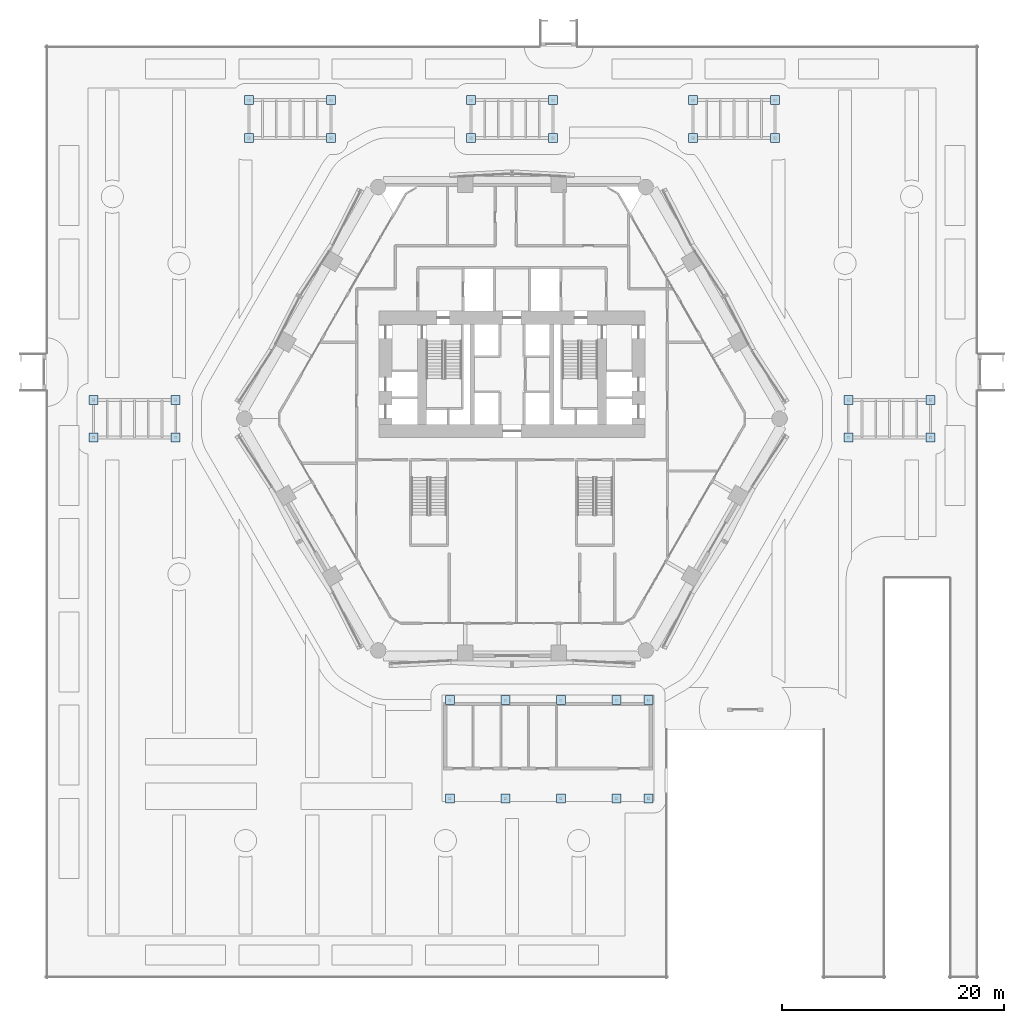
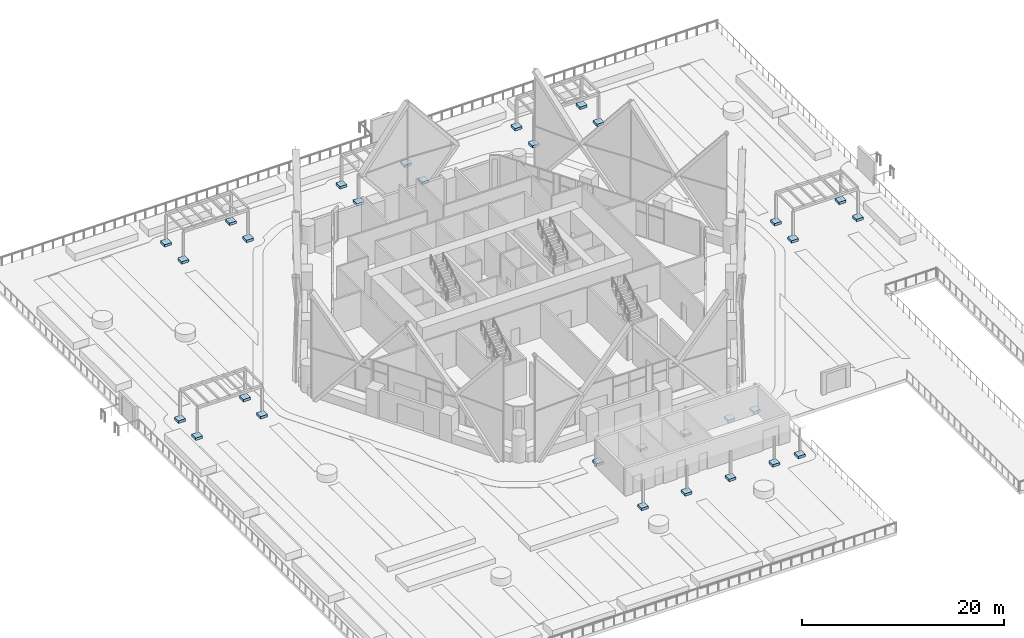
# One storey, part 1 of 71: 30 footings.
"""IFC4 building model written with IfcOpenShell, lengths in metres."""

from ifc_helpers import new_model, si_unit, direction, frame, origin, place, context, subcontext, project, spatial, polyline, outline, extrude, material, type_object, element, save


model = new_model("IFC4")

# Units and contexts
model_context = context("Model", 3, precision=1e-05, world=origin(), true_north=direction((0.0, 1.0)))
body_context = subcontext(model_context, "Body", "Model", "MODEL_VIEW")
ifc_project = project(units=[si_unit("LENGTHUNIT", "METRE"), si_unit("AREAUNIT", "SQUARE_METRE"), si_unit("VOLUMEUNIT", "CUBIC_METRE"), si_unit("PLANEANGLEUNIT", "RADIAN"), si_unit("MASSUNIT", "GRAM", prefix="KILO")], contexts=[model_context])

# Site, building, storey
site_placement = place(None, origin())
site = spatial("IfcSite", under=ifc_project, at=site_placement, CompositionType="ELEMENT")
building_placement = place(site_placement, origin())
building = spatial("IfcBuilding", under=site, at=building_placement, Name="Ostrander Bayou Hotel Tower", CompositionType="ELEMENT")
storey_placement = place(building_placement, frame((0.0, 0.0, 10.0)))
storey = spatial("IfcBuildingStorey", under=building, at=storey_placement, Name="L02", CompositionType="ELEMENT", Elevation=10.0)

# Footings
ifc_material = material(Name="Concrete f'c 40 MPa", Category="concrete")
footing_type = type_object("IfcFootingType", Name="PD2 pergola pedestal 800 x 800 x 300 mm f'c 40 MPa", PredefinedType="PAD_FOOTING", material=ifc_material)
footing_1_placement = place(storey_placement, origin())
element("IfcFooting", 1, at=footing_1_placement, inside=storey, type_object=footing_type, Name="PD2 pergola 1 pedestal 1", PredefinedType="PAD_FOOTING", context=body_context, shape_type="SweptSolid", body=[
    extrude(outline(polyline([(-23.300048828125, 24.89990234375), (-23.300048828125, 25.699951171875), (-24.10009765625, 25.699951171875), (-24.10009765625, 24.89990234375), (-23.300048828125, 24.89990234375)])), origin(), (0.0, 0.0, 1.0), 0.300048828125),
])
footing_2_placement = place(storey_placement, origin())
element("IfcFooting", 2, at=footing_2_placement, inside=storey, type_object=footing_type, Name="PD2 pergola 1 pedestal 2", PredefinedType="PAD_FOOTING", context=body_context, shape_type="SweptSolid", body=[
    extrude(outline(polyline([(-15.89990234375, 24.89990234375), (-15.89990234375, 25.699951171875), (-16.699951171875, 25.699951171875), (-16.699951171875, 24.89990234375), (-15.89990234375, 24.89990234375)])), origin(), (0.0, 0.0, 1.0), 0.300048828125),
])
footing_3_placement = place(storey_placement, origin())
element("IfcFooting", 3, at=footing_3_placement, inside=storey, type_object=footing_type, Name="PD2 pergola 1 pedestal 3", PredefinedType="PAD_FOOTING", context=body_context, shape_type="SweptSolid", body=[
    extrude(outline(polyline([(-15.89990234375, 28.300048828125), (-15.89990234375, 29.10009765625), (-16.699951171875, 29.10009765625), (-16.699951171875, 28.300048828125), (-15.89990234375, 28.300048828125)])), origin(), (0.0, 0.0, 1.0), 0.300048828125),
])
footing_4_placement = place(storey_placement, origin())
element("IfcFooting", 4, at=footing_4_placement, inside=storey, type_object=footing_type, Name="PD2 pergola 1 pedestal 4", PredefinedType="PAD_FOOTING", context=body_context, shape_type="SweptSolid", body=[
    extrude(outline(polyline([(-23.300048828125, 28.300048828125), (-23.300048828125, 29.10009765625), (-24.10009765625, 29.10009765625), (-24.10009765625, 28.300048828125), (-23.300048828125, 28.300048828125)])), origin(), (0.0, 0.0, 1.0), 0.300048828125),
])
footing_5_placement = place(storey_placement, origin())
element("IfcFooting", 5, at=footing_5_placement, inside=storey, type_object=footing_type, Name="PD2 pergola 2 pedestal 1", PredefinedType="PAD_FOOTING", context=body_context, shape_type="SweptSolid", body=[
    extrude(outline(polyline([(-3.300048828125, 24.89990234375), (-3.300048828125, 25.699951171875), (-4.10009765625, 25.699951171875), (-4.10009765625, 24.89990234375), (-3.300048828125, 24.89990234375)])), origin(), (0.0, 0.0, 1.0), 0.300048828125),
])
footing_6_placement = place(storey_placement, origin())
element("IfcFooting", 6, at=footing_6_placement, inside=storey, type_object=footing_type, Name="PD2 pergola 2 pedestal 2", PredefinedType="PAD_FOOTING", context=body_context, shape_type="SweptSolid", body=[
    extrude(outline(polyline([(4.10009765625, 24.89990234375), (4.10009765625, 25.699951171875), (3.300048828125, 25.699951171875), (3.300048828125, 24.89990234375), (4.10009765625, 24.89990234375)])), origin(), (0.0, 0.0, 1.0), 0.300048828125),
])
footing_7_placement = place(storey_placement, origin())
element("IfcFooting", 7, at=footing_7_placement, inside=storey, type_object=footing_type, Name="PD2 pergola 2 pedestal 3", PredefinedType="PAD_FOOTING", context=body_context, shape_type="SweptSolid", body=[
    extrude(outline(polyline([(4.10009765625, 28.300048828125), (4.10009765625, 29.10009765625), (3.300048828125, 29.10009765625), (3.300048828125, 28.300048828125), (4.10009765625, 28.300048828125)])), origin(), (0.0, 0.0, 1.0), 0.300048828125),
])
footing_8_placement = place(storey_placement, origin())
element("IfcFooting", 8, at=footing_8_placement, inside=storey, type_object=footing_type, Name="PD2 pergola 2 pedestal 4", PredefinedType="PAD_FOOTING", context=body_context, shape_type="SweptSolid", body=[
    extrude(outline(polyline([(-3.300048828125, 28.300048828125), (-3.300048828125, 29.10009765625), (-4.10009765625, 29.10009765625), (-4.10009765625, 28.300048828125), (-3.300048828125, 28.300048828125)])), origin(), (0.0, 0.0, 1.0), 0.300048828125),
])
footing_9_placement = place(storey_placement, origin())
element("IfcFooting", 9, at=footing_9_placement, inside=storey, type_object=footing_type, Name="PD2 pergola 3 pedestal 1", PredefinedType="PAD_FOOTING", context=body_context, shape_type="SweptSolid", body=[
    extrude(outline(polyline([(16.699951171875, 24.89990234375), (16.699951171875, 25.699951171875), (15.89990234375, 25.699951171875), (15.89990234375, 24.89990234375), (16.699951171875, 24.89990234375)])), origin(), (0.0, 0.0, 1.0), 0.300048828125),
])
footing_10_placement = place(storey_placement, origin())
element("IfcFooting", 10, at=footing_10_placement, inside=storey, type_object=footing_type, Name="PD2 pergola 3 pedestal 2", PredefinedType="PAD_FOOTING", context=body_context, shape_type="SweptSolid", body=[
    extrude(outline(polyline([(24.10009765625, 24.89990234375), (24.10009765625, 25.699951171875), (23.300048828125, 25.699951171875), (23.300048828125, 24.89990234375), (24.10009765625, 24.89990234375)])), origin(), (0.0, 0.0, 1.0), 0.300048828125),
])
footing_11_placement = place(storey_placement, origin())
element("IfcFooting", 11, at=footing_11_placement, inside=storey, type_object=footing_type, Name="PD2 pergola 3 pedestal 3", PredefinedType="PAD_FOOTING", context=body_context, shape_type="SweptSolid", body=[
    extrude(outline(polyline([(24.10009765625, 28.300048828125), (24.10009765625, 29.10009765625), (23.300048828125, 29.10009765625), (23.300048828125, 28.300048828125), (24.10009765625, 28.300048828125)])), origin(), (0.0, 0.0, 1.0), 0.300048828125),
])
footing_12_placement = place(storey_placement, origin())
element("IfcFooting", 12, at=footing_12_placement, inside=storey, type_object=footing_type, Name="PD2 pergola 3 pedestal 4", PredefinedType="PAD_FOOTING", context=body_context, shape_type="SweptSolid", body=[
    extrude(outline(polyline([(16.699951171875, 28.300048828125), (16.699951171875, 29.10009765625), (15.89990234375, 29.10009765625), (15.89990234375, 28.300048828125), (16.699951171875, 28.300048828125)])), origin(), (0.0, 0.0, 1.0), 0.300048828125),
])
footing_13_placement = place(storey_placement, origin())
element("IfcFooting", 13, at=footing_13_placement, inside=storey, type_object=footing_type, Name="PD2 pergola 4 pedestal 1", PredefinedType="PAD_FOOTING", context=body_context, shape_type="SweptSolid", body=[
    extrude(outline(polyline([(-37.300048828125, -2.10009765625), (-37.300048828125, -1.300048828125), (-38.10009765625, -1.300048828125), (-38.10009765625, -2.10009765625), (-37.300048828125, -2.10009765625)])), origin(), (0.0, 0.0, 1.0), 0.300048828125),
])
footing_14_placement = place(storey_placement, origin())
element("IfcFooting", 14, at=footing_14_placement, inside=storey, type_object=footing_type, Name="PD2 pergola 4 pedestal 2", PredefinedType="PAD_FOOTING", context=body_context, shape_type="SweptSolid", body=[
    extrude(outline(polyline([(-29.89990234375, -2.10009765625), (-29.89990234375, -1.300048828125), (-30.699951171875, -1.300048828125), (-30.699951171875, -2.10009765625), (-29.89990234375, -2.10009765625)])), origin(), (0.0, 0.0, 1.0), 0.300048828125),
])
footing_15_placement = place(storey_placement, origin())
element("IfcFooting", 15, at=footing_15_placement, inside=storey, type_object=footing_type, Name="PD2 pergola 4 pedestal 3", PredefinedType="PAD_FOOTING", context=body_context, shape_type="SweptSolid", body=[
    extrude(outline(polyline([(-29.89990234375, 1.300048828125), (-29.89990234375, 2.10009765625), (-30.699951171875, 2.10009765625), (-30.699951171875, 1.300048828125), (-29.89990234375, 1.300048828125)])), origin(), (0.0, 0.0, 1.0), 0.300048828125),
])
footing_16_placement = place(storey_placement, origin())
element("IfcFooting", 16, at=footing_16_placement, inside=storey, type_object=footing_type, Name="PD2 pergola 4 pedestal 4", PredefinedType="PAD_FOOTING", context=body_context, shape_type="SweptSolid", body=[
    extrude(outline(polyline([(-37.300048828125, 1.300048828125), (-37.300048828125, 2.10009765625), (-38.10009765625, 2.10009765625), (-38.10009765625, 1.300048828125), (-37.300048828125, 1.300048828125)])), origin(), (0.0, 0.0, 1.0), 0.300048828125),
])
footing_17_placement = place(storey_placement, origin())
element("IfcFooting", 17, at=footing_17_placement, inside=storey, type_object=footing_type, Name="PD2 pergola 5 pedestal 1", PredefinedType="PAD_FOOTING", context=body_context, shape_type="SweptSolid", body=[
    extrude(outline(polyline([(30.699951171875, -2.10009765625), (30.699951171875, -1.300048828125), (29.89990234375, -1.300048828125), (29.89990234375, -2.10009765625), (30.699951171875, -2.10009765625)])), origin(), (0.0, 0.0, 1.0), 0.300048828125),
])
footing_18_placement = place(storey_placement, origin())
element("IfcFooting", 18, at=footing_18_placement, inside=storey, type_object=footing_type, Name="PD2 pergola 5 pedestal 2", PredefinedType="PAD_FOOTING", context=body_context, shape_type="SweptSolid", body=[
    extrude(outline(polyline([(38.10009765625, -2.10009765625), (38.10009765625, -1.300048828125), (37.300048828125, -1.300048828125), (37.300048828125, -2.10009765625), (38.10009765625, -2.10009765625)])), origin(), (0.0, 0.0, 1.0), 0.300048828125),
])
footing_19_placement = place(storey_placement, origin())
element("IfcFooting", 19, at=footing_19_placement, inside=storey, type_object=footing_type, Name="PD2 pergola 5 pedestal 3", PredefinedType="PAD_FOOTING", context=body_context, shape_type="SweptSolid", body=[
    extrude(outline(polyline([(38.10009765625, 1.300048828125), (38.10009765625, 2.10009765625), (37.300048828125, 2.10009765625), (37.300048828125, 1.300048828125), (38.10009765625, 1.300048828125)])), origin(), (0.0, 0.0, 1.0), 0.300048828125),
])
footing_20_placement = place(storey_placement, origin())
element("IfcFooting", 20, at=footing_20_placement, inside=storey, type_object=footing_type, Name="PD2 pergola 5 pedestal 4", PredefinedType="PAD_FOOTING", context=body_context, shape_type="SweptSolid", body=[
    extrude(outline(polyline([(30.699951171875, 1.300048828125), (30.699951171875, 2.10009765625), (29.89990234375, 2.10009765625), (29.89990234375, 1.300048828125), (30.699951171875, 1.300048828125)])), origin(), (0.0, 0.0, 1.0), 0.300048828125),
])
footing_21_placement = place(storey_placement, origin())
element("IfcFooting", 21, at=footing_21_placement, inside=storey, type_object=footing_type, Name="PD2 pavilion pedestal 1", PredefinedType="PAD_FOOTING", context=body_context, shape_type="SweptSolid", body=[
    extrude(outline(polyline([(-5.199951171875, -34.60009765625), (-5.199951171875, -33.800048828125), (-6.0, -33.800048828125), (-6.0, -34.60009765625), (-5.199951171875, -34.60009765625)])), origin(), (0.0, 0.0, 1.0), 0.300048828125),
])
footing_22_placement = place(storey_placement, origin())
element("IfcFooting", 22, at=footing_22_placement, inside=storey, type_object=footing_type, Name="PD2 pavilion pedestal 2", PredefinedType="PAD_FOOTING", context=body_context, shape_type="SweptSolid", body=[
    extrude(outline(polyline([(-0.199951171875, -34.60009765625), (-0.199951171875, -33.800048828125), (-1.0, -33.800048828125), (-1.0, -34.60009765625), (-0.199951171875, -34.60009765625)])), origin(), (0.0, 0.0, 1.0), 0.300048828125),
])
footing_23_placement = place(storey_placement, origin())
element("IfcFooting", 23, at=footing_23_placement, inside=storey, type_object=footing_type, Name="PD2 pavilion pedestal 3", PredefinedType="PAD_FOOTING", context=body_context, shape_type="SweptSolid", body=[
    extrude(outline(polyline([(4.800048828125, -34.60009765625), (4.800048828125, -33.800048828125), (4.0, -33.800048828125), (4.0, -34.60009765625), (4.800048828125, -34.60009765625)])), origin(), (0.0, 0.0, 1.0), 0.300048828125),
])
footing_24_placement = place(storey_placement, origin())
element("IfcFooting", 24, at=footing_24_placement, inside=storey, type_object=footing_type, Name="PD2 pavilion pedestal 4", PredefinedType="PAD_FOOTING", context=body_context, shape_type="SweptSolid", body=[
    extrude(outline(polyline([(9.800048828125, -34.60009765625), (9.800048828125, -33.800048828125), (9.0, -33.800048828125), (9.0, -34.60009765625), (9.800048828125, -34.60009765625)])), origin(), (0.0, 0.0, 1.0), 0.300048828125),
])
footing_25_placement = place(storey_placement, origin())
element("IfcFooting", 25, at=footing_25_placement, inside=storey, type_object=footing_type, Name="PD2 pavilion pedestal 5", PredefinedType="PAD_FOOTING", context=body_context, shape_type="SweptSolid", body=[
    extrude(outline(polyline([(12.699951171875, -34.60009765625), (12.699951171875, -33.800048828125), (11.89990234375, -33.800048828125), (11.89990234375, -34.60009765625), (12.699951171875, -34.60009765625)])), origin(), (0.0, 0.0, 1.0), 0.300048828125),
])
footing_26_placement = place(storey_placement, origin())
element("IfcFooting", 26, at=footing_26_placement, inside=storey, type_object=footing_type, Name="PD2 pavilion pedestal 6", PredefinedType="PAD_FOOTING", context=body_context, shape_type="SweptSolid", body=[
    extrude(outline(polyline([(-5.199951171875, -25.75), (-5.199951171875, -24.949951171875), (-6.0, -24.949951171875), (-6.0, -25.75), (-5.199951171875, -25.75)])), origin(), (0.0, 0.0, 1.0), 0.300048828125),
])
footing_27_placement = place(storey_placement, origin())
element("IfcFooting", 27, at=footing_27_placement, inside=storey, type_object=footing_type, Name="PD2 pavilion pedestal 7", PredefinedType="PAD_FOOTING", context=body_context, shape_type="SweptSolid", body=[
    extrude(outline(polyline([(-0.199951171875, -25.75), (-0.199951171875, -24.949951171875), (-1.0, -24.949951171875), (-1.0, -25.75), (-0.199951171875, -25.75)])), origin(), (0.0, 0.0, 1.0), 0.300048828125),
])
footing_28_placement = place(storey_placement, origin())
element("IfcFooting", 28, at=footing_28_placement, inside=storey, type_object=footing_type, Name="PD2 pavilion pedestal 8", PredefinedType="PAD_FOOTING", context=body_context, shape_type="SweptSolid", body=[
    extrude(outline(polyline([(4.800048828125, -25.75), (4.800048828125, -24.949951171875), (4.0, -24.949951171875), (4.0, -25.75), (4.800048828125, -25.75)])), origin(), (0.0, 0.0, 1.0), 0.300048828125),
])
footing_29_placement = place(storey_placement, origin())
element("IfcFooting", 29, at=footing_29_placement, inside=storey, type_object=footing_type, Name="PD2 pavilion pedestal 9", PredefinedType="PAD_FOOTING", context=body_context, shape_type="SweptSolid", body=[
    extrude(outline(polyline([(9.800048828125, -25.75), (9.800048828125, -24.949951171875), (9.0, -24.949951171875), (9.0, -25.75), (9.800048828125, -25.75)])), origin(), (0.0, 0.0, 1.0), 0.300048828125),
])
footing_30_placement = place(storey_placement, origin())
element("IfcFooting", 30, at=footing_30_placement, inside=storey, type_object=footing_type, Name="PD2 pavilion pedestal 10", PredefinedType="PAD_FOOTING", context=body_context, shape_type="SweptSolid", body=[
    extrude(outline(polyline([(12.699951171875, -25.75), (12.699951171875, -24.949951171875), (11.89990234375, -24.949951171875), (11.89990234375, -25.75), (12.699951171875, -25.75)])), origin(), (0.0, 0.0, 1.0), 0.300048828125),
])

save(model, "model.ifc")
